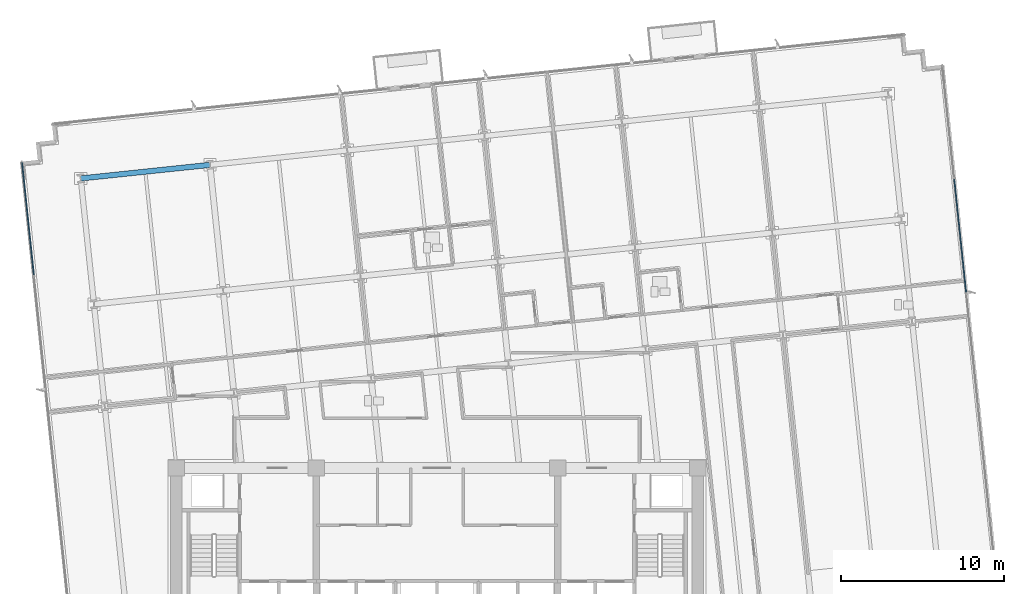
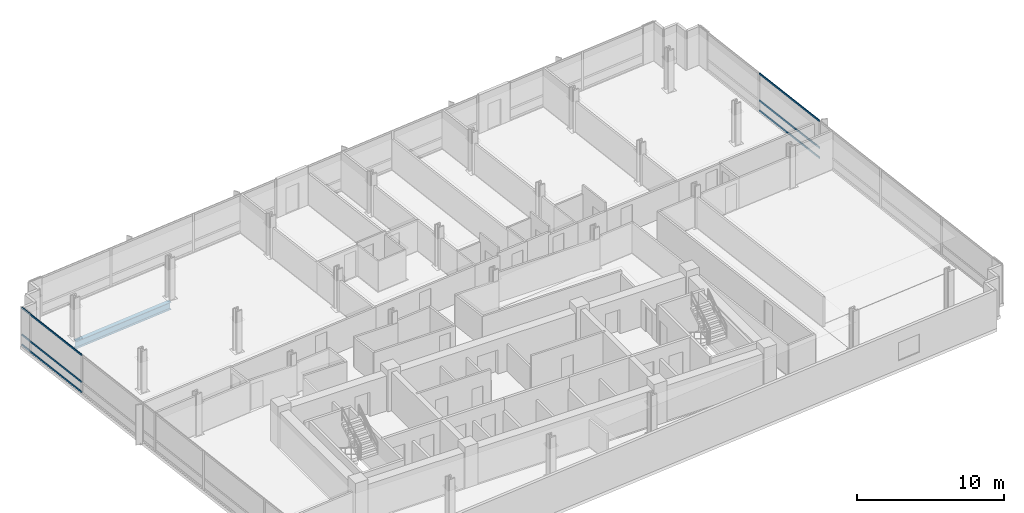
# One storey, part 6 of 17: 6 members, 1 beam, 2 elements without a shape of their own.
"""IFC4 building model written with IfcOpenShell, lengths in metres."""

from ifc_helpers import new_model, si_unit, direction, frame, origin, origin_2d, place, context, subcontext, project, spatial, rectangle, i_section, extrude, material, material_profile, profile_set, type_object, element, aggregate, save


model = new_model("IFC4")

# Units and contexts
model_context = context("Model", 3, precision=1e-05, world=origin(), true_north=direction((0.0, 1.0)))
body_context = subcontext(model_context, "Body", "Model", "MODEL_VIEW")
ifc_project = project(units=[si_unit("LENGTHUNIT", "METRE"), si_unit("AREAUNIT", "SQUARE_METRE"), si_unit("VOLUMEUNIT", "CUBIC_METRE"), si_unit("PLANEANGLEUNIT", "RADIAN"), si_unit("MASSUNIT", "GRAM", prefix="KILO")], contexts=[model_context])

# Site, building, storey
site_placement = place(None, origin())
site = spatial("IfcSite", under=ifc_project, at=site_placement, CompositionType="ELEMENT")
building_placement = place(site_placement, origin())
building = spatial("IfcBuilding", under=site, at=building_placement, Name="Solmavex Isthmus Hotel", CompositionType="ELEMENT")
storey_placement = place(building_placement, frame((0.0, 0.0, 90.449951171875)))
storey = spatial("IfcBuildingStorey", under=building, at=storey_placement, Name="L24", CompositionType="ELEMENT", Elevation=90.449951171875)

# Beam
ifc_material_1 = material(Name="Steel ASTM A992 Grade 50", Category="steel")
ifc_material_profile_1 = material_profile(ifc_material_1, i_section(OverallWidth=0.326416015625, OverallDepth=0.621826171875, WebThickness=0.015380859375, FlangeThickness=0.0244140625, FilletRadius=0.01513671875, at=origin_2d()), Name="W24X131")
ifc_profile_set_1 = profile_set([ifc_material_profile_1], Name="Steel ASTM A992 Grade 50")
beam_type = type_object("IfcBeamType", Name="BM-SP-W24X131", PredefinedType="SPANDREL", material=ifc_profile_set_1)
beam_placement = place(storey_placement, frame((-21.851806640625, 15.2587890625, -0.57080078125), z_axis=(0.994523402738, 0.104514120609, 0.0), x_axis=(-0.104514120609, 0.994523402738, 0.0)))
element("IfcBeam", 1, at=beam_placement, inside=storey, type_object=beam_type, Name="Floor Girder L24-UG19", PredefinedType="SPANDREL", context=body_context, shape_type="SweptSolid", body=[
    extrude(i_section(OverallWidth=0.326416015625, OverallDepth=0.621826171875, WebThickness=0.015380859375, FlangeThickness=0.0244140625, FilletRadius=0.01513671875, at=origin_2d()), origin(), (0.0, 0.0, 1.0), 7.968017578125),
])

# Curtain wall, members
ifc_material_2 = material(Name="Aluminium alloy 6063-T6", Category="aluminium")
curtain_wall_type = type_object("IfcCurtainWallType", Name="CW-SYS-03", PredefinedType="NOTDEFINED", material=ifc_material_2)
curtain_wall_1_placement = place(storey_placement, origin())
curtain_wall_1 = element("IfcCurtainWall", 2, at=curtain_wall_1_placement, inside=storey, type_object=curtain_wall_type, Name="Stick Curtain Wall CWL-L24-W1", PredefinedType="NOTDEFINED")
ifc_material_profile_2 = material_profile(ifc_material_2, rectangle(XDim=0.070068359375, YDim=0.139892578125, at=origin_2d()), Name="CWT-70X140")
ifc_profile_set_2 = profile_set([ifc_material_profile_2], Name="Aluminium alloy 6063-T6")
member_type = type_object("IfcMemberType", Name="CW-SYS-03-TRN", PredefinedType="USERDEFINED", material=ifc_profile_set_2)
member_1_placement = place(storey_placement, frame((-24.728759765625, 9.340576171875, 0.070068359375), z_axis=(-0.104539595565, 0.994520725254, 0.0), x_axis=(-0.994520725254, -0.104539595565, 0.0)))
member_1 = element("IfcMember", 3, at=member_1_placement, type_object=member_type, Name="CW-03 transom 5.1", ObjectType="TRANSOM", PredefinedType="USERDEFINED", context=body_context, shape_type="SweptSolid", body=[
    extrude(rectangle(XDim=0.070068359375, YDim=0.139892578125, at=origin_2d()), origin(), (0.0, 0.0, 1.0), 6.9150390625),
])
member_2_placement = place(storey_placement, frame((-24.728759765625, 9.340576171875, 0.900146484375), z_axis=(-0.104539595565, 0.994520725254, 0.0), x_axis=(-0.994520725254, -0.104539595565, 0.0)))
member_2 = element("IfcMember", 4, at=member_2_placement, type_object=member_type, Name="CW-03 transom 5.2", ObjectType="TRANSOM", PredefinedType="USERDEFINED", context=body_context, shape_type="SweptSolid", body=[
    extrude(rectangle(XDim=0.070068359375, YDim=0.139892578125, at=origin_2d()), origin(), (0.0, 0.0, 1.0), 6.9150390625),
])
member_3_placement = place(storey_placement, frame((-24.728759765625, 9.340576171875, 3.1201171875), z_axis=(-0.104539595565, 0.994520725254, 0.0), x_axis=(-0.994520725254, -0.104539595565, 0.0)))
member_3 = element("IfcMember", 5, at=member_3_placement, type_object=member_type, Name="CW-03 transom 5.3", ObjectType="TRANSOM", PredefinedType="USERDEFINED", context=body_context, shape_type="SweptSolid", body=[
    extrude(rectangle(XDim=0.070068359375, YDim=0.139892578125, at=origin_2d()), origin(), (0.0, 0.0, 1.0), 6.9150390625),
])
aggregate(curtain_wall_1, [member_1, member_2, member_3])

curtain_wall_2_placement = place(storey_placement, origin())
curtain_wall_2 = element("IfcCurtainWall", 6, at=curtain_wall_2_placement, inside=storey, type_object=curtain_wall_type, Name="Stick Curtain Wall CWL-L24-E1", PredefinedType="NOTDEFINED")
member_4_placement = place(storey_placement, frame((32.4541015625, 8.2919921875, 0.070068359375), z_axis=(-0.104538500317, 0.994520840381, 0.0), x_axis=(-0.994520840381, -0.104538500317, 0.0)))
member_4 = element("IfcMember", 7, at=member_4_placement, type_object=member_type, Name="CW-03 transom 4.1", ObjectType="TRANSOM", PredefinedType="USERDEFINED", context=body_context, shape_type="SweptSolid", body=[
    extrude(rectangle(XDim=0.070068359375, YDim=0.139892578125, at=origin_2d()), origin(), (0.0, 0.0, 1.0), 6.9501953125),
])
member_5_placement = place(storey_placement, frame((32.4541015625, 8.2919921875, 0.900146484375), z_axis=(-0.104538500317, 0.994520840381, 0.0), x_axis=(-0.994520840381, -0.104538500317, 0.0)))
member_5 = element("IfcMember", 8, at=member_5_placement, type_object=member_type, Name="CW-03 transom 4.2", ObjectType="TRANSOM", PredefinedType="USERDEFINED", context=body_context, shape_type="SweptSolid", body=[
    extrude(rectangle(XDim=0.070068359375, YDim=0.139892578125, at=origin_2d()), origin(), (0.0, 0.0, 1.0), 6.9501953125),
])
member_6_placement = place(storey_placement, frame((32.4541015625, 8.2919921875, 3.1201171875), z_axis=(-0.104538500317, 0.994520840381, 0.0), x_axis=(-0.994520840381, -0.104538500317, 0.0)))
member_6 = element("IfcMember", 9, at=member_6_placement, type_object=member_type, Name="CW-03 transom 4.3", ObjectType="TRANSOM", PredefinedType="USERDEFINED", context=body_context, shape_type="SweptSolid", body=[
    extrude(rectangle(XDim=0.070068359375, YDim=0.139892578125, at=origin_2d()), origin(), (0.0, 0.0, 1.0), 6.9501953125),
])
aggregate(curtain_wall_2, [member_4, member_5, member_6])

save(model, "model.ifc")
